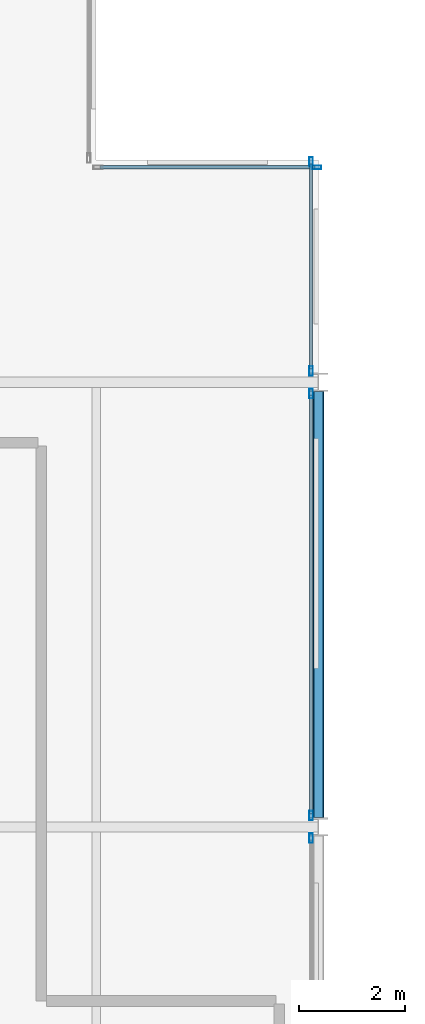
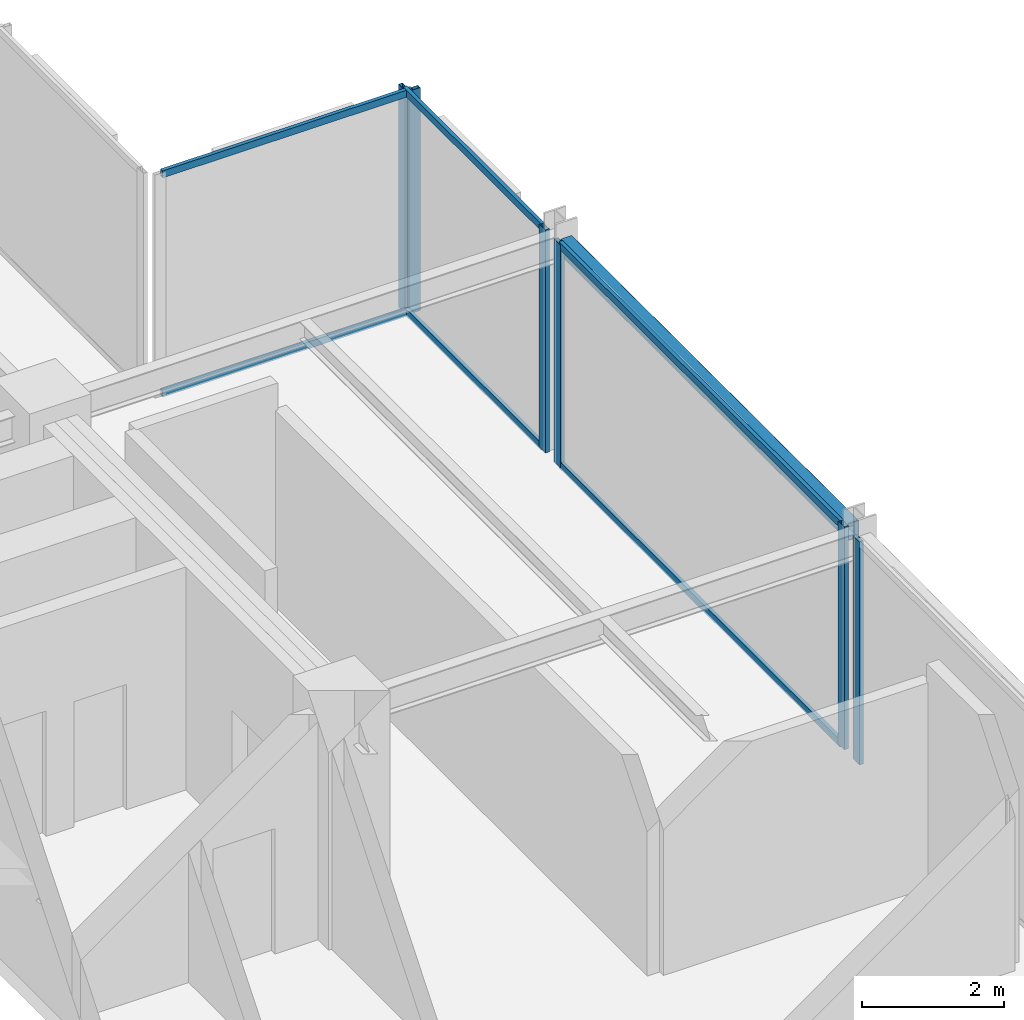
# One storey, part 22 of 29: 12 members, 1 beam, 4 elements without a shape of their own.
"""IFC4 building model written with IfcOpenShell, lengths in metres."""

from ifc_helpers import new_model, si_unit, direction, frame, origin, origin_2d, place, context, subcontext, project, spatial, hollow_rectangle, extrude, material, layer, layer_set, material_profile, profile_set, type_object, element, aggregate, save


model = new_model("IFC4")

# Units and contexts
model_context = context("Model", 3, precision=1e-05, world=origin(), true_north=direction((0.0, 1.0)))
body_context = subcontext(model_context, "Body", "Model", "MODEL_VIEW")
ifc_project = project(units=[si_unit("LENGTHUNIT", "METRE"), si_unit("AREAUNIT", "SQUARE_METRE"), si_unit("VOLUMEUNIT", "CUBIC_METRE"), si_unit("PLANEANGLEUNIT", "RADIAN"), si_unit("MASSUNIT", "GRAM", prefix="KILO")], contexts=[model_context])

# Site, building, storey
site_placement = place(None, origin())
site = spatial("IfcSite", under=ifc_project, at=site_placement, CompositionType="ELEMENT")
building_placement = place(site_placement, origin())
building = spatial("IfcBuilding", under=site, at=building_placement, Name="Nerrivon Quay Data Exchange", CompositionType="ELEMENT")
storey_placement = place(building_placement, frame((0.0, 0.0, 183.699951171875)))
storey = spatial("IfcBuildingStorey", under=building, at=storey_placement, Name="L43", CompositionType="ELEMENT", Elevation=183.699951171875)

# Beam
ifc_material_1 = material(Name="Steel Grade C350L0 (350 MPa)", Category="steel")
ifc_material_profile_1 = material_profile(ifc_material_1, hollow_rectangle(XDim=0.199951171875, YDim=0.300048828125, WallThickness=0.012451171875, InnerFilletRadius=0.018798828125, OuterFilletRadius=0.03125, at=origin_2d()), Name="300x200x12.5RHS")
ifc_profile_set_1 = profile_set([ifc_material_profile_1], Name="Steel Grade C350L0 (350 MPa)")
beam_type = type_object("IfcBeamType", Name="BM-SP3-300x200RHS", PredefinedType="SPANDREL", material=ifc_profile_set_1)
beam_placement = place(storey_placement, frame((25.199951171875, 33.77490234375, 3.675048828125), z_axis=(0.0, 1.0, 0.0), x_axis=(-1.0, 0.0, 0.0)))
element("IfcBeam", 1, at=beam_placement, inside=storey, type_object=beam_type, Name="L43 NS Girder X=25.2 (33.6..42.0)", PredefinedType="SPANDREL", context=body_context, shape_type="SweptSolid", body=[
    extrude(hollow_rectangle(XDim=0.199951171875, YDim=0.300048828125, WallThickness=0.012451171875, InnerFilletRadius=0.018798828125, OuterFilletRadius=0.03125, at=origin_2d()), origin(), (0.0, 0.0, 1.0), 8.050048828125),
])

# Curtain wall, member
ifc_material_2 = material(Name="Anodised aluminium 6063-T6", Category="aluminium")
ifc_layer = layer(ifc_material_2, 0.195068359375)
ifc_layer_set = layer_set([ifc_layer], Name="Anodised aluminium 6063-T6")
curtain_wall_type = type_object("IfcCurtainWallType", Name="CW-SYS-06", PredefinedType="NOTDEFINED", material=ifc_layer_set)
curtain_wall_1_placement = place(storey_placement, origin())
curtain_wall_1 = element("IfcCurtainWall", 2, at=curtain_wall_1_placement, inside=storey, type_object=curtain_wall_type, Name="L43 Unitised Curtain Wall 12", PredefinedType="NOTDEFINED")
ifc_material_profile_2 = material_profile(ifc_material_2, hollow_rectangle(XDim=0.06494140625, YDim=0.179931640625, WallThickness=0.00341796875, at=origin_2d()), Name="ALU-MULL-180x65")
ifc_profile_set_2 = profile_set([ifc_material_profile_2], Name="Anodised aluminium 6063-T6")
member_type_1 = type_object("IfcMemberType", Name="CWM-180x65", PredefinedType="MULLION", material=ifc_profile_set_2)
member_1_placement = place(storey_placement, frame((25.16259765625, 46.06005859375, 0.0), z_axis=(0.0, 0.0, 1.0), x_axis=(0.0, 1.0, 0.0)))
member_1 = element("IfcMember", 3, at=member_1_placement, type_object=member_type_1, Name="CW06 mullion 2", PredefinedType="MULLION", context=body_context, shape_type="SweptSolid", body=[
    extrude(hollow_rectangle(XDim=0.06494140625, YDim=0.179931640625, WallThickness=0.00341796875, at=origin_2d()), origin(), (0.0, 0.0, 1.0), 3.824951171875),
])

# Curtain wall, members
curtain_wall_2_placement = place(storey_placement, origin())
curtain_wall_2 = element("IfcCurtainWall", 4, at=curtain_wall_2_placement, inside=storey, type_object=curtain_wall_type, Name="L43 Unitised Curtain Wall 13", PredefinedType="NOTDEFINED")
member_2_placement = place(storey_placement, frame((25.06005859375, 46.16259765625, 0.0), z_axis=(0.0, 0.0, 1.0), x_axis=(1.0, 0.0, 0.0)))
member_2 = element("IfcMember", 5, at=member_2_placement, type_object=member_type_1, Name="CW06 mullion 1", PredefinedType="MULLION", context=body_context, shape_type="SweptSolid", body=[
    extrude(hollow_rectangle(XDim=0.06494140625, YDim=0.179931640625, WallThickness=0.00341796875, at=origin_2d()), origin(), (0.0, 0.0, 1.0), 3.824951171875),
])
member_3_placement = place(storey_placement, frame((25.06005859375, 42.21240234375, 0.0), z_axis=(0.0, 0.0, 1.0), x_axis=(1.0, 0.0, 0.0)))
member_3 = element("IfcMember", 6, at=member_3_placement, type_object=member_type_1, Name="CW06 mullion 2", PredefinedType="MULLION", context=body_context, shape_type="SweptSolid", body=[
    extrude(hollow_rectangle(XDim=0.06494140625, YDim=0.179931640625, WallThickness=0.00341796875, at=origin_2d()), origin(), (0.0, 0.0, 1.0), 3.824951171875),
])

curtain_wall_3_placement = place(storey_placement, origin())
curtain_wall_3 = element("IfcCurtainWall", 7, at=curtain_wall_3_placement, inside=storey, type_object=curtain_wall_type, Name="L43 Unitised Curtain Wall 14", PredefinedType="NOTDEFINED")
member_4_placement = place(storey_placement, frame((25.06005859375, 41.78759765625, 0.0), z_axis=(0.0, 0.0, 1.0), x_axis=(1.0, 0.0, 0.0)))
member_4 = element("IfcMember", 8, at=member_4_placement, type_object=member_type_1, Name="CW06 mullion 1", PredefinedType="MULLION", context=body_context, shape_type="SweptSolid", body=[
    extrude(hollow_rectangle(XDim=0.06494140625, YDim=0.179931640625, WallThickness=0.00341796875, at=origin_2d()), origin(), (0.0, 0.0, 1.0), 3.824951171875),
])
member_5_placement = place(storey_placement, frame((25.06005859375, 33.8125, 0.0), z_axis=(0.0, 0.0, 1.0), x_axis=(1.0, 0.0, 0.0)))
member_5 = element("IfcMember", 9, at=member_5_placement, type_object=member_type_1, Name="CW06 mullion 2", PredefinedType="MULLION", context=body_context, shape_type="SweptSolid", body=[
    extrude(hollow_rectangle(XDim=0.06494140625, YDim=0.179931640625, WallThickness=0.00341796875, at=origin_2d()), origin(), (0.0, 0.0, 1.0), 3.824951171875),
])

# Curtain wall, member
curtain_wall_4_placement = place(storey_placement, origin())
curtain_wall_4 = element("IfcCurtainWall", 10, at=curtain_wall_4_placement, inside=storey, type_object=curtain_wall_type, Name="L43 Unitised Curtain Wall 15", PredefinedType="NOTDEFINED")
member_6_placement = place(storey_placement, frame((25.06005859375, 33.387451171875, 0.0), z_axis=(0.0, 0.0, 1.0), x_axis=(1.0, 0.0, 0.0)))
member_6 = element("IfcMember", 11, at=member_6_placement, type_object=member_type_1, Name="CW06 mullion 1", PredefinedType="MULLION", context=body_context, shape_type="SweptSolid", body=[
    extrude(hollow_rectangle(XDim=0.06494140625, YDim=0.179931640625, WallThickness=0.00341796875, at=origin_2d()), origin(), (0.0, 0.0, 1.0), 3.824951171875),
])
aggregate(curtain_wall_4, [member_6])

# Member
ifc_material_profile_3 = material_profile(ifc_material_2, hollow_rectangle(XDim=0.06005859375, YDim=0.1201171875, WallThickness=0.003173828125, at=origin_2d()), Name="ALU-TRAN-120x60")
ifc_profile_set_3 = profile_set([ifc_material_profile_3], Name="Anodised aluminium 6063-T6")
member_type_2 = type_object("IfcMemberType", Name="CWT-120x60", PredefinedType="USERDEFINED", material=ifc_profile_set_3)
member_7_placement = place(storey_placement, frame((21.074951171875, 46.06005859375, 0.032470703125), z_axis=(1.0, 0.0, 0.0), x_axis=(0.0, 1.0, 0.0)))
member_7 = element("IfcMember", 12, at=member_7_placement, type_object=member_type_2, Name="CW06 transom 1.1", ObjectType="TRANSOM", PredefinedType="USERDEFINED", context=body_context, shape_type="SweptSolid", body=[
    extrude(hollow_rectangle(XDim=0.06005859375, YDim=0.1201171875, WallThickness=0.003173828125, at=origin_2d()), origin(), (0.0, 0.0, 1.0), 4.050048828125),
])

member_8_placement = place(storey_placement, frame((21.074951171875, 46.06005859375, 3.79248046875), z_axis=(1.0, 0.0, 0.0), x_axis=(0.0, 1.0, 0.0)))
member_8 = element("IfcMember", 13, at=member_8_placement, type_object=member_type_2, Name="CW06 transom 1.2", ObjectType="TRANSOM", PredefinedType="USERDEFINED", context=body_context, shape_type="SweptSolid", body=[
    extrude(hollow_rectangle(XDim=0.06005859375, YDim=0.1201171875, WallThickness=0.003173828125, at=origin_2d()), origin(), (0.0, 0.0, 1.0), 4.050048828125),
])

aggregate(curtain_wall_1, [member_1, member_7, member_8])

member_9_placement = place(storey_placement, frame((25.06005859375, 46.125, 0.032470703125), z_axis=(0.0, -1.0, 0.0), x_axis=(1.0, 0.0, 0.0)))
member_9 = element("IfcMember", 14, at=member_9_placement, type_object=member_type_2, Name="CW06 transom 1.1", ObjectType="TRANSOM", PredefinedType="USERDEFINED", context=body_context, shape_type="SweptSolid", body=[
    extrude(hollow_rectangle(XDim=0.06005859375, YDim=0.1201171875, WallThickness=0.003173828125, at=origin_2d()), origin(), (0.0, 0.0, 1.0), 3.875),
])

member_10_placement = place(storey_placement, frame((25.06005859375, 46.125, 3.79248046875), z_axis=(0.0, -1.0, 0.0), x_axis=(1.0, 0.0, 0.0)))
member_10 = element("IfcMember", 15, at=member_10_placement, type_object=member_type_2, Name="CW06 transom 1.2", ObjectType="TRANSOM", PredefinedType="USERDEFINED", context=body_context, shape_type="SweptSolid", body=[
    extrude(hollow_rectangle(XDim=0.06005859375, YDim=0.1201171875, WallThickness=0.003173828125, at=origin_2d()), origin(), (0.0, 0.0, 1.0), 3.875),
])

aggregate(curtain_wall_2, [member_2, member_3, member_9, member_10])

member_11_placement = place(storey_placement, frame((25.06005859375, 41.75, 0.032470703125), z_axis=(0.0, -1.0, 0.0), x_axis=(1.0, 0.0, 0.0)))
member_11 = element("IfcMember", 16, at=member_11_placement, type_object=member_type_2, Name="CW06 transom 1.1", ObjectType="TRANSOM", PredefinedType="USERDEFINED", context=body_context, shape_type="SweptSolid", body=[
    extrude(hollow_rectangle(XDim=0.06005859375, YDim=0.1201171875, WallThickness=0.003173828125, at=origin_2d()), origin(), (0.0, 0.0, 1.0), 7.89990234375),
])

member_12_placement = place(storey_placement, frame((25.06005859375, 41.75, 3.79248046875), z_axis=(0.0, -1.0, 0.0), x_axis=(1.0, 0.0, 0.0)))
member_12 = element("IfcMember", 17, at=member_12_placement, type_object=member_type_2, Name="CW06 transom 1.2", ObjectType="TRANSOM", PredefinedType="USERDEFINED", context=body_context, shape_type="SweptSolid", body=[
    extrude(hollow_rectangle(XDim=0.06005859375, YDim=0.1201171875, WallThickness=0.003173828125, at=origin_2d()), origin(), (0.0, 0.0, 1.0), 7.89990234375),
])

aggregate(curtain_wall_3, [member_4, member_5, member_11, member_12])

save(model, "model.ifc")
